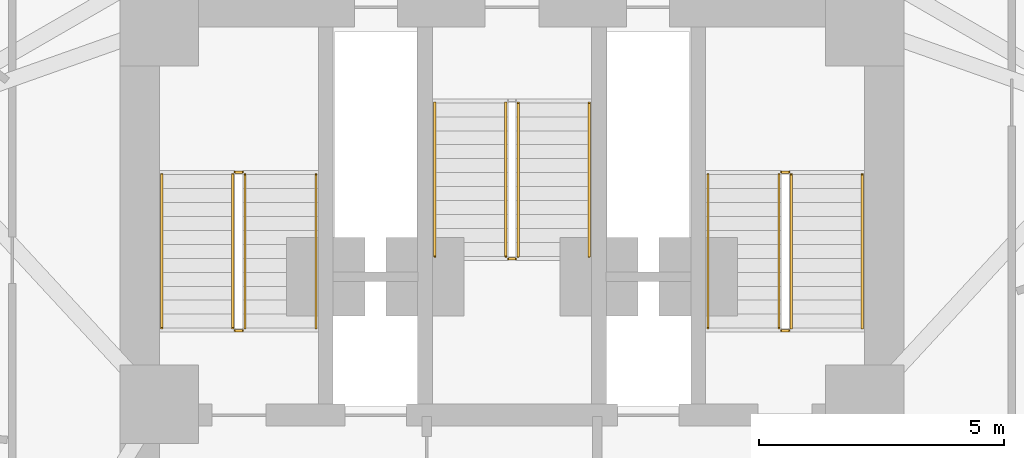
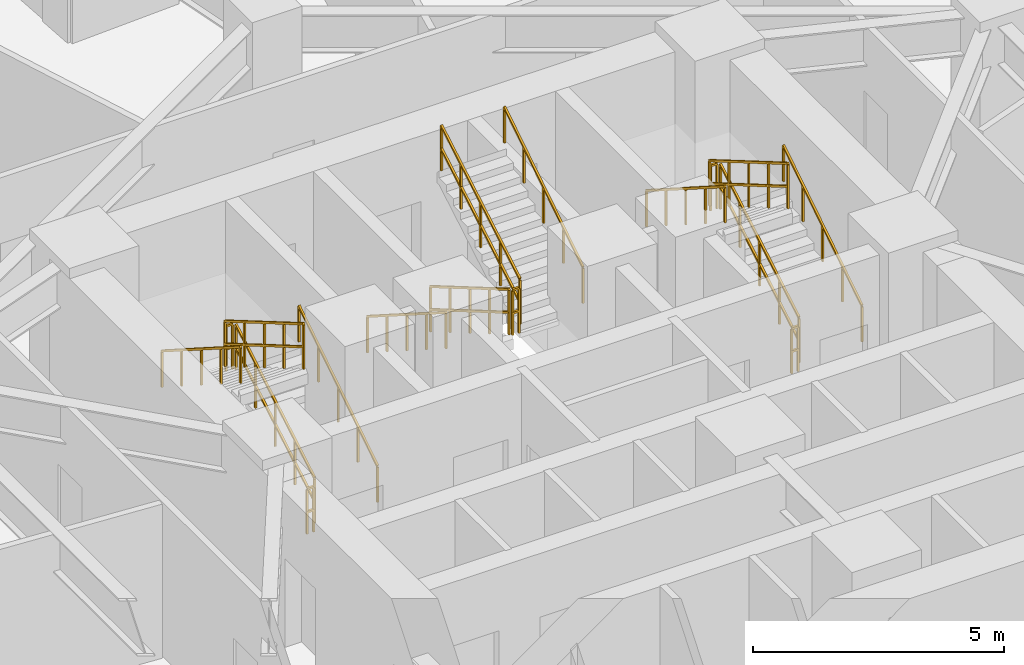
# One storey, part 8 of 11: 17 railings.
"""IFC4 building model written with IfcOpenShell, lengths in metres."""

from ifc_helpers import new_model, si_unit, direction, frame, origin, origin_2d, place, context, subcontext, project, spatial, rectangle, extrude, material, type_object, element, save


model = new_model("IFC4")

# Units and contexts
model_context = context("Model", 3, precision=1e-05, world=origin(), true_north=direction((0.0, 1.0)))
body_context = subcontext(model_context, "Body", "Model", "MODEL_VIEW")
ifc_project = project(units=[si_unit("LENGTHUNIT", "METRE"), si_unit("AREAUNIT", "SQUARE_METRE"), si_unit("VOLUMEUNIT", "CUBIC_METRE"), si_unit("PLANEANGLEUNIT", "RADIAN"), si_unit("MASSUNIT", "GRAM", prefix="KILO")], contexts=[model_context])

# Site, building, storey
site_placement = place(None, origin())
site = spatial("IfcSite", under=ifc_project, at=site_placement, CompositionType="ELEMENT")
building_placement = place(site_placement, origin())
building = spatial("IfcBuilding", under=site, at=building_placement, Name="Apsidion Concourse Tower", CompositionType="ELEMENT")
storey_placement = place(building_placement, frame((0.0, 0.0, 54.39990234375)))
storey = spatial("IfcBuildingStorey", under=building, at=storey_placement, Name="L11", CompositionType="ELEMENT", Elevation=54.39990234375)

# Railings
ifc_material = material(Name="Brushed stainless steel 316", Category="steel")
railing_type_1 = type_object("IfcRailingType", Name="RL-GUARD-1100", PredefinedType="GUARDRAIL", material=ifc_material)
railing_1_placement = place(storey_placement, frame((-5.449951171875, 3.0, 0.166748046875)))
element("IfcRailing", 1, at=railing_1_placement, inside=storey, type_object=railing_type_1, Name="L11 ST1 stair guard 1", PredefinedType="GUARDRAIL", context=body_context, shape_type="SweptSolid", body=[
    extrude(rectangle(XDim=0.048095703125, YDim=0.048095703125, at=origin_2d()), frame((0.0, 0.0, 1.09619140625), z_axis=(0.0, 0.863239559939, 0.504794475164), x_axis=(-1.0, 0.0, 0.0)), (0.0, 0.0, 1.0), 3.631591796875),
    extrude(rectangle(XDim=0.048095703125, YDim=0.048095703125, at=origin_2d()), frame((0.0, 0.0, 0.5361328125), z_axis=(0.0, 0.863239559939, 0.504794475164), x_axis=(-1.0, 0.0, 0.0)), (0.0, 0.0, 1.0), 3.631591796875),
    extrude(rectangle(XDim=0.0419921875, YDim=0.0419921875, at=origin_2d()), origin(), (0.0, 0.0, 1.0), 1.072021484375),
    extrude(rectangle(XDim=0.0419921875, YDim=0.0419921875, at=origin_2d()), frame((0.0, 0.78369140625, 0.458251953125)), (0.0, 0.0, 1.0), 1.072021484375),
    extrude(rectangle(XDim=0.0419921875, YDim=0.0419921875, at=origin_2d()), frame((0.0, 1.5673828125, 0.91650390625)), (0.0, 0.0, 1.0), 1.072021484375),
    extrude(rectangle(XDim=0.0419921875, YDim=0.0419921875, at=origin_2d()), frame((0.0, 2.351318359375, 1.375)), (0.0, 0.0, 1.0), 1.072021484375),
    extrude(rectangle(XDim=0.0419921875, YDim=0.0419921875, at=origin_2d()), frame((0.0, 3.135009765625, 1.833251953125)), (0.0, 0.0, 1.0), 1.072021484375),
])
railing_2_placement = place(storey_placement, frame((-5.5, 6.18505859375, 2.0)))
element("IfcRailing", 2, at=railing_2_placement, inside=storey, type_object=railing_type_1, Name="L11 ST1 stair guard 2", PredefinedType="GUARDRAIL", context=body_context, shape_type="SweptSolid", body=[
    extrude(rectangle(XDim=0.048095703125, YDim=0.048095703125, at=origin_2d()), frame((0.0, 0.0, 1.09619140625), z_axis=(-1.0, 0.0, 0.0), x_axis=(0.0, -1.0, 0.0)), (0.0, 0.0, 1.0), 0.14990234375),
    extrude(rectangle(XDim=0.048095703125, YDim=0.048095703125, at=origin_2d()), frame((0.0, 0.0, 0.5361328125), z_axis=(-1.0, 0.0, 0.0), x_axis=(0.0, -1.0, 0.0)), (0.0, 0.0, 1.0), 0.14990234375),
    extrude(rectangle(XDim=0.0419921875, YDim=0.0419921875, at=origin_2d()), origin(), (0.0, 0.0, 1.0), 1.072021484375),
    extrude(rectangle(XDim=0.0419921875, YDim=0.0419921875, at=origin_2d()), frame((-0.14990234375, 0.0, 0.0)), (0.0, 0.0, 1.0), 1.072021484375),
])
railing_3_placement = place(storey_placement, frame((-5.699951171875, 6.135009765625, 2.166748046875)))
element("IfcRailing", 3, at=railing_3_placement, inside=storey, type_object=railing_type_1, Name="L11 ST1 stair guard 3", PredefinedType="GUARDRAIL", context=body_context, shape_type="SweptSolid", body=[
    extrude(rectangle(XDim=0.048095703125, YDim=0.048095703125, at=origin_2d()), frame((0.0, 0.0, 1.09619140625), z_axis=(0.0, -0.863239559939, 0.504794475164), x_axis=(1.0, 0.0, 0.0)), (0.0, 0.0, 1.0), 3.631591796875),
    extrude(rectangle(XDim=0.048095703125, YDim=0.048095703125, at=origin_2d()), frame((0.0, 0.0, 0.5361328125), z_axis=(0.0, -0.863239559939, 0.504794475164), x_axis=(1.0, 0.0, 0.0)), (0.0, 0.0, 1.0), 3.631591796875),
    extrude(rectangle(XDim=0.0419921875, YDim=0.0419921875, at=origin_2d()), origin(), (0.0, 0.0, 1.0), 1.072021484375),
    extrude(rectangle(XDim=0.0419921875, YDim=0.0419921875, at=origin_2d()), frame((0.0, -0.78369140625, 0.458251953125)), (0.0, 0.0, 1.0), 1.072021484375),
    extrude(rectangle(XDim=0.0419921875, YDim=0.0419921875, at=origin_2d()), frame((0.0, -1.5673828125, 0.91650390625)), (0.0, 0.0, 1.0), 1.072021484375),
    extrude(rectangle(XDim=0.0419921875, YDim=0.0419921875, at=origin_2d()), frame((0.0, -2.351318359375, 1.375)), (0.0, 0.0, 1.0), 1.072021484375),
    extrude(rectangle(XDim=0.0419921875, YDim=0.0419921875, at=origin_2d()), frame((0.0, -3.135009765625, 1.833251953125)), (0.0, 0.0, 1.0), 1.072021484375),
])
railing_4_placement = place(storey_placement, frame((-5.5, 2.949951171875, 0.0)))
element("IfcRailing", 4, at=railing_4_placement, inside=storey, type_object=railing_type_1, Name="L11 ST1 stair guard 4", PredefinedType="GUARDRAIL", context=body_context, shape_type="SweptSolid", body=[
    extrude(rectangle(XDim=0.048095703125, YDim=0.048095703125, at=origin_2d()), frame((0.0, 0.0, 1.09619140625), z_axis=(-1.0, 0.0, 0.0), x_axis=(0.0, -1.0, 0.0)), (0.0, 0.0, 1.0), 0.14990234375),
    extrude(rectangle(XDim=0.048095703125, YDim=0.048095703125, at=origin_2d()), frame((0.0, 0.0, 0.5361328125), z_axis=(-1.0, 0.0, 0.0), x_axis=(0.0, -1.0, 0.0)), (0.0, 0.0, 1.0), 0.14990234375),
    extrude(rectangle(XDim=0.0419921875, YDim=0.0419921875, at=origin_2d()), origin(), (0.0, 0.0, 1.0), 1.072021484375),
    extrude(rectangle(XDim=0.0419921875, YDim=0.0419921875, at=origin_2d()), frame((-0.14990234375, 0.0, 0.0)), (0.0, 0.0, 1.0), 1.072021484375),
])
railing_5_placement = place(storey_placement, frame((5.699951171875, 3.0, 0.166748046875)))
element("IfcRailing", 5, at=railing_5_placement, inside=storey, type_object=railing_type_1, Name="L11 ST2 stair guard 1", PredefinedType="GUARDRAIL", context=body_context, shape_type="SweptSolid", body=[
    extrude(rectangle(XDim=0.048095703125, YDim=0.048095703125, at=origin_2d()), frame((0.0, 0.0, 1.09619140625), z_axis=(0.0, 0.863239559939, 0.504794475164), x_axis=(-1.0, 0.0, 0.0)), (0.0, 0.0, 1.0), 3.631591796875),
    extrude(rectangle(XDim=0.048095703125, YDim=0.048095703125, at=origin_2d()), frame((0.0, 0.0, 0.5361328125), z_axis=(0.0, 0.863239559939, 0.504794475164), x_axis=(-1.0, 0.0, 0.0)), (0.0, 0.0, 1.0), 3.631591796875),
    extrude(rectangle(XDim=0.0419921875, YDim=0.0419921875, at=origin_2d()), origin(), (0.0, 0.0, 1.0), 1.072021484375),
    extrude(rectangle(XDim=0.0419921875, YDim=0.0419921875, at=origin_2d()), frame((0.0, 0.78369140625, 0.458251953125)), (0.0, 0.0, 1.0), 1.072021484375),
    extrude(rectangle(XDim=0.0419921875, YDim=0.0419921875, at=origin_2d()), frame((0.0, 1.5673828125, 0.91650390625)), (0.0, 0.0, 1.0), 1.072021484375),
    extrude(rectangle(XDim=0.0419921875, YDim=0.0419921875, at=origin_2d()), frame((0.0, 2.351318359375, 1.375)), (0.0, 0.0, 1.0), 1.072021484375),
    extrude(rectangle(XDim=0.0419921875, YDim=0.0419921875, at=origin_2d()), frame((0.0, 3.135009765625, 1.833251953125)), (0.0, 0.0, 1.0), 1.072021484375),
])
railing_6_placement = place(storey_placement, frame((5.64990234375, 6.18505859375, 2.0)))
element("IfcRailing", 6, at=railing_6_placement, inside=storey, type_object=railing_type_1, Name="L11 ST2 stair guard 2", PredefinedType="GUARDRAIL", context=body_context, shape_type="SweptSolid", body=[
    extrude(rectangle(XDim=0.048095703125, YDim=0.048095703125, at=origin_2d()), frame((0.0, 0.0, 1.09619140625), z_axis=(-1.0, 0.0, 0.0), x_axis=(0.0, -1.0, 0.0)), (0.0, 0.0, 1.0), 0.14990234375),
    extrude(rectangle(XDim=0.048095703125, YDim=0.048095703125, at=origin_2d()), frame((0.0, 0.0, 0.5361328125), z_axis=(-1.0, 0.0, 0.0), x_axis=(0.0, -1.0, 0.0)), (0.0, 0.0, 1.0), 0.14990234375),
    extrude(rectangle(XDim=0.0419921875, YDim=0.0419921875, at=origin_2d()), origin(), (0.0, 0.0, 1.0), 1.072021484375),
    extrude(rectangle(XDim=0.0419921875, YDim=0.0419921875, at=origin_2d()), frame((-0.14990234375, 0.0, 0.0)), (0.0, 0.0, 1.0), 1.072021484375),
])
railing_7_placement = place(storey_placement, frame((5.449951171875, 6.135009765625, 2.166748046875)))
element("IfcRailing", 7, at=railing_7_placement, inside=storey, type_object=railing_type_1, Name="L11 ST2 stair guard 3", PredefinedType="GUARDRAIL", context=body_context, shape_type="SweptSolid", body=[
    extrude(rectangle(XDim=0.048095703125, YDim=0.048095703125, at=origin_2d()), frame((0.0, 0.0, 1.09619140625), z_axis=(0.0, -0.863239559939, 0.504794475164), x_axis=(1.0, 0.0, 0.0)), (0.0, 0.0, 1.0), 3.631591796875),
    extrude(rectangle(XDim=0.048095703125, YDim=0.048095703125, at=origin_2d()), frame((0.0, 0.0, 0.5361328125), z_axis=(0.0, -0.863239559939, 0.504794475164), x_axis=(1.0, 0.0, 0.0)), (0.0, 0.0, 1.0), 3.631591796875),
    extrude(rectangle(XDim=0.0419921875, YDim=0.0419921875, at=origin_2d()), origin(), (0.0, 0.0, 1.0), 1.072021484375),
    extrude(rectangle(XDim=0.0419921875, YDim=0.0419921875, at=origin_2d()), frame((0.0, -0.78369140625, 0.458251953125)), (0.0, 0.0, 1.0), 1.072021484375),
    extrude(rectangle(XDim=0.0419921875, YDim=0.0419921875, at=origin_2d()), frame((0.0, -1.5673828125, 0.91650390625)), (0.0, 0.0, 1.0), 1.072021484375),
    extrude(rectangle(XDim=0.0419921875, YDim=0.0419921875, at=origin_2d()), frame((0.0, -2.351318359375, 1.375)), (0.0, 0.0, 1.0), 1.072021484375),
    extrude(rectangle(XDim=0.0419921875, YDim=0.0419921875, at=origin_2d()), frame((0.0, -3.135009765625, 1.833251953125)), (0.0, 0.0, 1.0), 1.072021484375),
])
railing_8_placement = place(storey_placement, frame((5.64990234375, 2.949951171875, 0.0)))
element("IfcRailing", 8, at=railing_8_placement, inside=storey, type_object=railing_type_1, Name="L11 ST2 stair guard 4", PredefinedType="GUARDRAIL", context=body_context, shape_type="SweptSolid", body=[
    extrude(rectangle(XDim=0.048095703125, YDim=0.048095703125, at=origin_2d()), frame((0.0, 0.0, 1.09619140625), z_axis=(-1.0, 0.0, 0.0), x_axis=(0.0, -1.0, 0.0)), (0.0, 0.0, 1.0), 0.14990234375),
    extrude(rectangle(XDim=0.048095703125, YDim=0.048095703125, at=origin_2d()), frame((0.0, 0.0, 0.5361328125), z_axis=(-1.0, 0.0, 0.0), x_axis=(0.0, -1.0, 0.0)), (0.0, 0.0, 1.0), 0.14990234375),
    extrude(rectangle(XDim=0.0419921875, YDim=0.0419921875, at=origin_2d()), origin(), (0.0, 0.0, 1.0), 1.072021484375),
    extrude(rectangle(XDim=0.0419921875, YDim=0.0419921875, at=origin_2d()), frame((-0.14990234375, 0.0, 0.0)), (0.0, 0.0, 1.0), 1.072021484375),
])
railing_9_placement = place(storey_placement, frame((-0.125, 7.60009765625, 0.166748046875)))
element("IfcRailing", 9, at=railing_9_placement, inside=storey, type_object=railing_type_1, Name="L11 ST3 stair guard 1", PredefinedType="GUARDRAIL", context=body_context, shape_type="SweptSolid", body=[
    extrude(rectangle(XDim=0.048095703125, YDim=0.048095703125, at=origin_2d()), frame((0.0, 0.0, 1.09619140625), z_axis=(0.0, -0.863239559939, 0.504794475164), x_axis=(1.0, 0.0, 0.0)), (0.0, 0.0, 1.0), 3.631591796875),
    extrude(rectangle(XDim=0.048095703125, YDim=0.048095703125, at=origin_2d()), frame((0.0, 0.0, 0.5361328125), z_axis=(0.0, -0.863239559939, 0.504794475164), x_axis=(1.0, 0.0, 0.0)), (0.0, 0.0, 1.0), 3.631591796875),
    extrude(rectangle(XDim=0.0419921875, YDim=0.0419921875, at=origin_2d()), origin(), (0.0, 0.0, 1.0), 1.072021484375),
    extrude(rectangle(XDim=0.0419921875, YDim=0.0419921875, at=origin_2d()), frame((0.0, -0.78369140625, 0.458251953125)), (0.0, 0.0, 1.0), 1.072021484375),
    extrude(rectangle(XDim=0.0419921875, YDim=0.0419921875, at=origin_2d()), frame((0.0, -1.5673828125, 0.91650390625)), (0.0, 0.0, 1.0), 1.072021484375),
    extrude(rectangle(XDim=0.0419921875, YDim=0.0419921875, at=origin_2d()), frame((0.0, -2.351318359375, 1.375)), (0.0, 0.0, 1.0), 1.072021484375),
    extrude(rectangle(XDim=0.0419921875, YDim=0.0419921875, at=origin_2d()), frame((0.0, -3.135009765625, 1.833251953125)), (0.0, 0.0, 1.0), 1.072021484375),
])
railing_10_placement = place(storey_placement, frame((-0.074951171875, 4.4150390625, 2.0)))
element("IfcRailing", 10, at=railing_10_placement, inside=storey, type_object=railing_type_1, Name="L11 ST3 stair guard 2", PredefinedType="GUARDRAIL", context=body_context, shape_type="SweptSolid", body=[
    extrude(rectangle(XDim=0.048095703125, YDim=0.048095703125, at=origin_2d()), frame((0.0, 0.0, 1.09619140625), z_axis=(1.0, 0.0, 0.0), x_axis=(0.0, 1.0, 0.0)), (0.0, 0.0, 1.0), 0.14990234375),
    extrude(rectangle(XDim=0.048095703125, YDim=0.048095703125, at=origin_2d()), frame((0.0, 0.0, 0.5361328125), z_axis=(1.0, 0.0, 0.0), x_axis=(0.0, 1.0, 0.0)), (0.0, 0.0, 1.0), 0.14990234375),
    extrude(rectangle(XDim=0.0419921875, YDim=0.0419921875, at=origin_2d()), origin(), (0.0, 0.0, 1.0), 1.072021484375),
    extrude(rectangle(XDim=0.0419921875, YDim=0.0419921875, at=origin_2d()), frame((0.14990234375, 0.0, 0.0)), (0.0, 0.0, 1.0), 1.072021484375),
])
railing_11_placement = place(storey_placement, frame((0.125, 4.465087890625, 2.166748046875)))
element("IfcRailing", 11, at=railing_11_placement, inside=storey, type_object=railing_type_1, Name="L11 ST3 stair guard 3", PredefinedType="GUARDRAIL", context=body_context, shape_type="SweptSolid", body=[
    extrude(rectangle(XDim=0.048095703125, YDim=0.048095703125, at=origin_2d()), frame((0.0, 0.0, 1.09619140625), z_axis=(0.0, 0.863239559939, 0.504794475164), x_axis=(-1.0, 0.0, 0.0)), (0.0, 0.0, 1.0), 3.631591796875),
    extrude(rectangle(XDim=0.048095703125, YDim=0.048095703125, at=origin_2d()), frame((0.0, 0.0, 0.5361328125), z_axis=(0.0, 0.863239559939, 0.504794475164), x_axis=(-1.0, 0.0, 0.0)), (0.0, 0.0, 1.0), 3.631591796875),
    extrude(rectangle(XDim=0.0419921875, YDim=0.0419921875, at=origin_2d()), origin(), (0.0, 0.0, 1.0), 1.072021484375),
    extrude(rectangle(XDim=0.0419921875, YDim=0.0419921875, at=origin_2d()), frame((0.0, 0.78369140625, 0.458251953125)), (0.0, 0.0, 1.0), 1.072021484375),
    extrude(rectangle(XDim=0.0419921875, YDim=0.0419921875, at=origin_2d()), frame((0.0, 1.5673828125, 0.91650390625)), (0.0, 0.0, 1.0), 1.072021484375),
    extrude(rectangle(XDim=0.0419921875, YDim=0.0419921875, at=origin_2d()), frame((0.0, 2.351318359375, 1.375)), (0.0, 0.0, 1.0), 1.072021484375),
    extrude(rectangle(XDim=0.0419921875, YDim=0.0419921875, at=origin_2d()), frame((0.0, 3.135009765625, 1.833251953125)), (0.0, 0.0, 1.0), 1.072021484375),
])
railing_type_2 = type_object("IfcRailingType", Name="RL-HAND-900", PredefinedType="HANDRAIL", material=ifc_material)
railing_12_placement = place(storey_placement, frame((-4.0, 3.0, 0.166748046875)))
element("IfcRailing", 12, at=railing_12_placement, inside=storey, type_object=railing_type_2, Name="L11 ST1 stair handrail 1", PredefinedType="HANDRAIL", context=body_context, shape_type="SweptSolid", body=[
    extrude(rectangle(XDim=0.048095703125, YDim=0.048095703125, at=origin_2d()), frame((0.0, 0.0, 0.8759765625), z_axis=(0.0, 0.843052688722, 0.537830980921), x_axis=(-1.0, 0.0, 0.0)), (0.0, 0.0, 1.0), 3.71875),
    extrude(rectangle(XDim=0.0419921875, YDim=0.0419921875, at=origin_2d()), origin(), (0.0, 0.0, 1.0), 0.851806640625),
    extrude(rectangle(XDim=0.0419921875, YDim=0.0419921875, at=origin_2d()), frame((0.0, 0.78369140625, 0.5)), (0.0, 0.0, 1.0), 0.851806640625),
    extrude(rectangle(XDim=0.0419921875, YDim=0.0419921875, at=origin_2d()), frame((0.0, 1.5673828125, 1.0)), (0.0, 0.0, 1.0), 0.851806640625),
    extrude(rectangle(XDim=0.0419921875, YDim=0.0419921875, at=origin_2d()), frame((0.0, 2.351318359375, 1.5)), (0.0, 0.0, 1.0), 0.851806640625),
    extrude(rectangle(XDim=0.0419921875, YDim=0.0419921875, at=origin_2d()), frame((0.0, 3.135009765625, 2.0)), (0.0, 0.0, 1.0), 0.851806640625),
])
railing_13_placement = place(storey_placement, frame((-7.14990234375, 6.135009765625, 2.166748046875)))
element("IfcRailing", 13, at=railing_13_placement, inside=storey, type_object=railing_type_2, Name="L11 ST1 stair handrail 2", PredefinedType="HANDRAIL", context=body_context, shape_type="SweptSolid", body=[
    extrude(rectangle(XDim=0.048095703125, YDim=0.048095703125, at=origin_2d()), frame((0.0, 0.0, 0.8759765625), z_axis=(0.0, -0.843052688722, 0.537830980921), x_axis=(1.0, 0.0, 0.0)), (0.0, 0.0, 1.0), 3.71875),
    extrude(rectangle(XDim=0.0419921875, YDim=0.0419921875, at=origin_2d()), origin(), (0.0, 0.0, 1.0), 0.851806640625),
    extrude(rectangle(XDim=0.0419921875, YDim=0.0419921875, at=origin_2d()), frame((0.0, -0.78369140625, 0.5)), (0.0, 0.0, 1.0), 0.851806640625),
    extrude(rectangle(XDim=0.0419921875, YDim=0.0419921875, at=origin_2d()), frame((0.0, -1.5673828125, 1.0)), (0.0, 0.0, 1.0), 0.851806640625),
    extrude(rectangle(XDim=0.0419921875, YDim=0.0419921875, at=origin_2d()), frame((0.0, -2.351318359375, 1.5)), (0.0, 0.0, 1.0), 0.851806640625),
    extrude(rectangle(XDim=0.0419921875, YDim=0.0419921875, at=origin_2d()), frame((0.0, -3.135009765625, 2.0)), (0.0, 0.0, 1.0), 0.851806640625),
])
railing_14_placement = place(storey_placement, frame((7.14990234375, 3.0, 0.166748046875)))
element("IfcRailing", 14, at=railing_14_placement, inside=storey, type_object=railing_type_2, Name="L11 ST2 stair handrail 1", PredefinedType="HANDRAIL", context=body_context, shape_type="SweptSolid", body=[
    extrude(rectangle(XDim=0.048095703125, YDim=0.048095703125, at=origin_2d()), frame((0.0, 0.0, 0.8759765625), z_axis=(0.0, 0.843052688722, 0.537830980921), x_axis=(-1.0, 0.0, 0.0)), (0.0, 0.0, 1.0), 3.71875),
    extrude(rectangle(XDim=0.0419921875, YDim=0.0419921875, at=origin_2d()), origin(), (0.0, 0.0, 1.0), 0.851806640625),
    extrude(rectangle(XDim=0.0419921875, YDim=0.0419921875, at=origin_2d()), frame((0.0, 0.78369140625, 0.5)), (0.0, 0.0, 1.0), 0.851806640625),
    extrude(rectangle(XDim=0.0419921875, YDim=0.0419921875, at=origin_2d()), frame((0.0, 1.5673828125, 1.0)), (0.0, 0.0, 1.0), 0.851806640625),
    extrude(rectangle(XDim=0.0419921875, YDim=0.0419921875, at=origin_2d()), frame((0.0, 2.351318359375, 1.5)), (0.0, 0.0, 1.0), 0.851806640625),
    extrude(rectangle(XDim=0.0419921875, YDim=0.0419921875, at=origin_2d()), frame((0.0, 3.135009765625, 2.0)), (0.0, 0.0, 1.0), 0.851806640625),
])
for number, where, name in (
    (15, (4.0, 6.135009765625, 2.166748046875), "L11 ST2 stair handrail 2"),
    (16, (-1.574951171875, 7.60009765625, 0.166748046875), "L11 ST3 stair handrail 1"),
):
    element("IfcRailing", number, at=place(storey_placement, frame(where)), inside=storey, type_object=railing_type_2, Name=name, PredefinedType="HANDRAIL", context=body_context, shape_type="SweptSolid", body=[
        extrude(rectangle(XDim=0.048095703125, YDim=0.048095703125, at=origin_2d()), frame((0.0, 0.0, 0.8759765625), z_axis=(0.0, -0.843052688722, 0.537830980921), x_axis=(1.0, 0.0, 0.0)), (0.0, 0.0, 1.0), 3.71875),
        extrude(rectangle(XDim=0.0419921875, YDim=0.0419921875, at=origin_2d()), origin(), (0.0, 0.0, 1.0), 0.851806640625),
        extrude(rectangle(XDim=0.0419921875, YDim=0.0419921875, at=origin_2d()), frame((0.0, -0.78369140625, 0.5)), (0.0, 0.0, 1.0), 0.851806640625),
        extrude(rectangle(XDim=0.0419921875, YDim=0.0419921875, at=origin_2d()), frame((0.0, -1.5673828125, 1.0)), (0.0, 0.0, 1.0), 0.851806640625),
        extrude(rectangle(XDim=0.0419921875, YDim=0.0419921875, at=origin_2d()), frame((0.0, -2.351318359375, 1.5)), (0.0, 0.0, 1.0), 0.851806640625),
        extrude(rectangle(XDim=0.0419921875, YDim=0.0419921875, at=origin_2d()), frame((0.0, -3.135009765625, 2.0)), (0.0, 0.0, 1.0), 0.851806640625),
    ])
railing_15_placement = place(storey_placement, frame((1.574951171875, 4.465087890625, 2.166748046875)))
element("IfcRailing", 17, at=railing_15_placement, inside=storey, type_object=railing_type_2, Name="L11 ST3 stair handrail 2", PredefinedType="HANDRAIL", context=body_context, shape_type="SweptSolid", body=[
    extrude(rectangle(XDim=0.048095703125, YDim=0.048095703125, at=origin_2d()), frame((0.0, 0.0, 0.8759765625), z_axis=(0.0, 0.843052688722, 0.537830980921), x_axis=(-1.0, 0.0, 0.0)), (0.0, 0.0, 1.0), 3.71875),
    extrude(rectangle(XDim=0.0419921875, YDim=0.0419921875, at=origin_2d()), origin(), (0.0, 0.0, 1.0), 0.851806640625),
    extrude(rectangle(XDim=0.0419921875, YDim=0.0419921875, at=origin_2d()), frame((0.0, 0.78369140625, 0.5)), (0.0, 0.0, 1.0), 0.851806640625),
    extrude(rectangle(XDim=0.0419921875, YDim=0.0419921875, at=origin_2d()), frame((0.0, 1.5673828125, 1.0)), (0.0, 0.0, 1.0), 0.851806640625),
    extrude(rectangle(XDim=0.0419921875, YDim=0.0419921875, at=origin_2d()), frame((0.0, 2.351318359375, 1.5)), (0.0, 0.0, 1.0), 0.851806640625),
    extrude(rectangle(XDim=0.0419921875, YDim=0.0419921875, at=origin_2d()), frame((0.0, 3.135009765625, 2.0)), (0.0, 0.0, 1.0), 0.851806640625),
])

save(model, "model.ifc")
